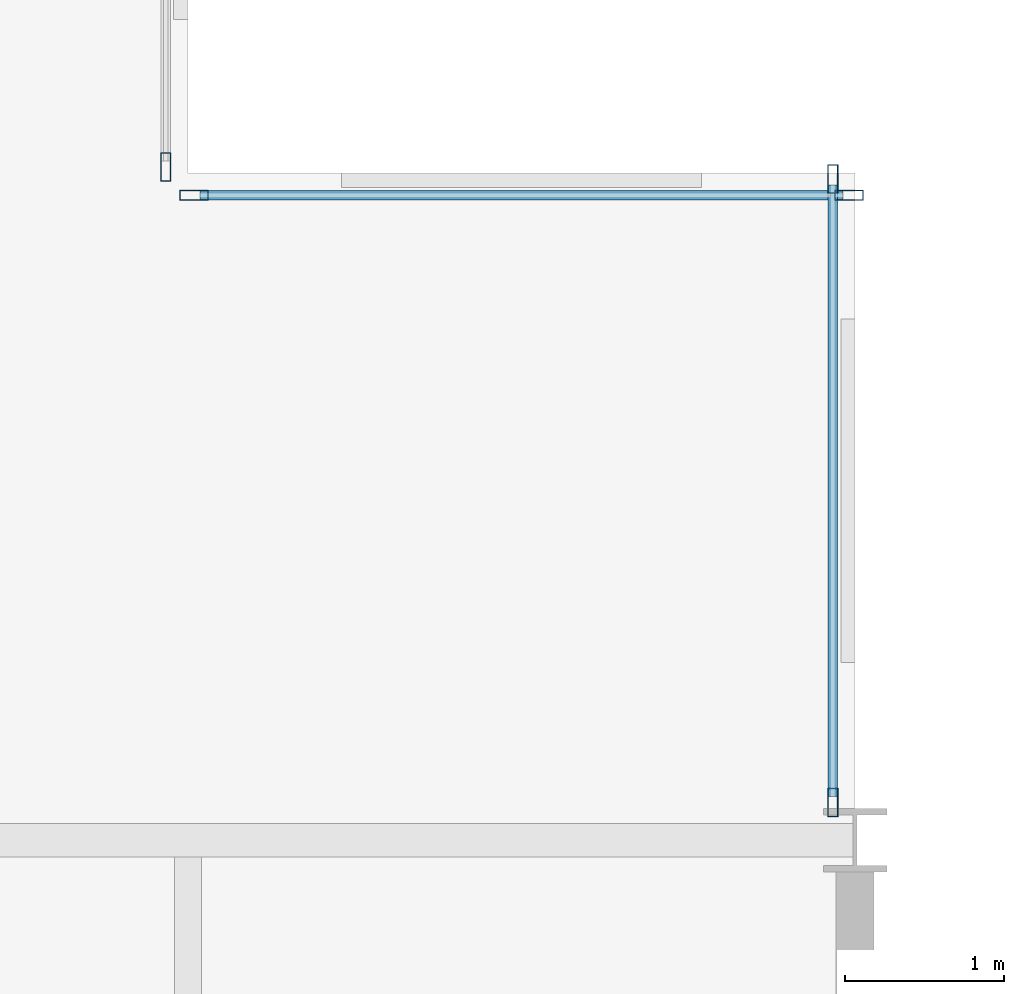
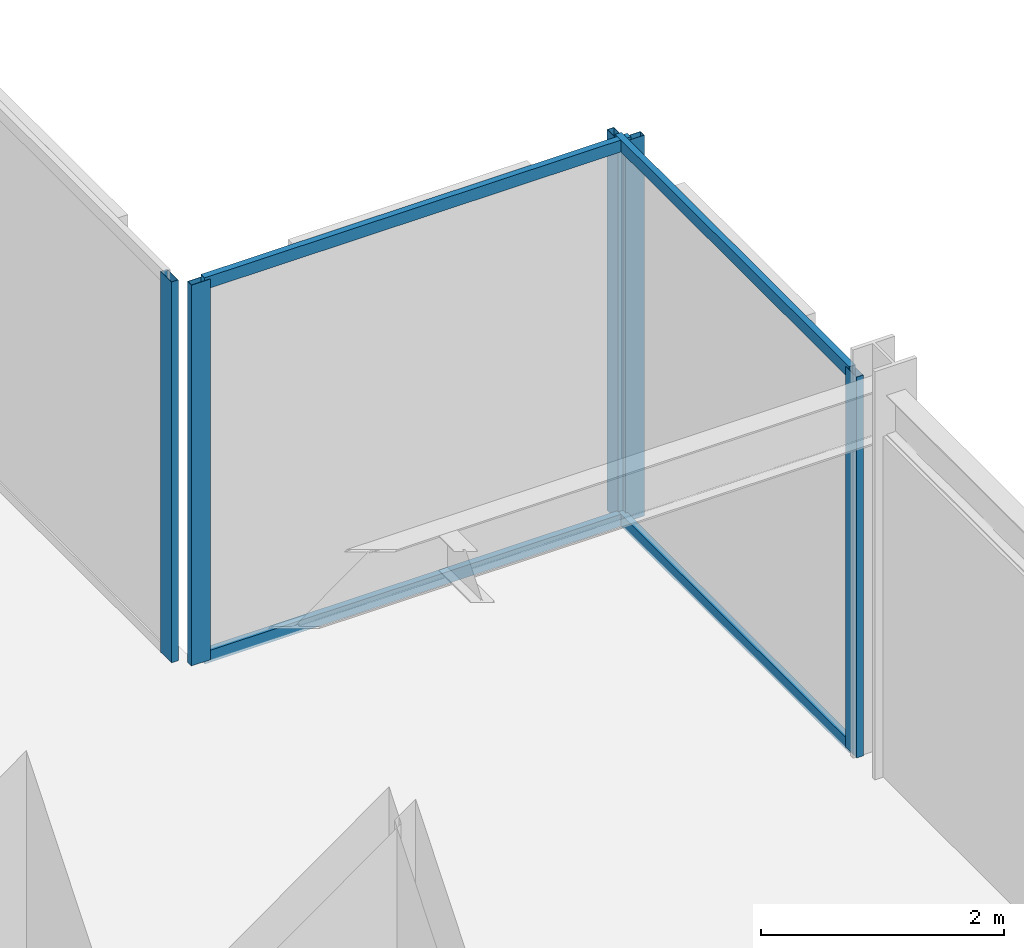
# One storey, part 20 of 29: 9 members, 3 elements without a shape of their own.
"""IFC4 building model written with IfcOpenShell, lengths in metres."""

from ifc_helpers import new_model, si_unit, direction, frame, origin, origin_2d, place, context, subcontext, project, spatial, hollow_rectangle, extrude, material, layer, layer_set, material_profile, profile_set, type_object, element, aggregate, save


model = new_model("IFC4")

# Units and contexts
model_context = context("Model", 3, precision=1e-05, world=origin(), true_north=direction((0.0, 1.0)))
body_context = subcontext(model_context, "Body", "Model", "MODEL_VIEW")
ifc_project = project(units=[si_unit("LENGTHUNIT", "METRE"), si_unit("AREAUNIT", "SQUARE_METRE"), si_unit("VOLUMEUNIT", "CUBIC_METRE"), si_unit("PLANEANGLEUNIT", "RADIAN"), si_unit("MASSUNIT", "GRAM", prefix="KILO")], contexts=[model_context])

# Site, building, storey
site_placement = place(None, origin())
site = spatial("IfcSite", under=ifc_project, at=site_placement, CompositionType="ELEMENT")
building_placement = place(site_placement, origin())
building = spatial("IfcBuilding", under=site, at=building_placement, Name="Nerrivon Quay Data Exchange", CompositionType="ELEMENT")
storey_placement = place(building_placement, frame((0.0, 0.0, 145.89990234375)))
storey = spatial("IfcBuildingStorey", under=building, at=storey_placement, Name="L34", CompositionType="ELEMENT", Elevation=145.89990234375)

# Curtain wall, member
ifc_material = material(Name="Anodised aluminium 6063-T6", Category="aluminium")
ifc_layer = layer(ifc_material, 0.2099609375)
ifc_layer_set = layer_set([ifc_layer], Name="Anodised aluminium 6063-T6")
curtain_wall_type = type_object("IfcCurtainWallType", Name="CW-SYS-02", PredefinedType="NOTDEFINED", material=ifc_layer_set)
curtain_wall_1_placement = place(storey_placement, origin())
curtain_wall_1 = element("IfcCurtainWall", 1, at=curtain_wall_1_placement, inside=storey, type_object=curtain_wall_type, Name="L34 Unitised Curtain Wall 21", PredefinedType="NOTDEFINED")
ifc_material_profile_1 = material_profile(ifc_material, hollow_rectangle(XDim=0.06494140625, YDim=0.179931640625, WallThickness=0.00341796875, at=origin_2d()), Name="ALU-MULL-180x65")
ifc_profile_set_1 = profile_set([ifc_material_profile_1], Name="Anodised aluminium 6063-T6")
member_type_1 = type_object("IfcMemberType", Name="CWM-180x65", PredefinedType="MULLION", material=ifc_profile_set_1)
member_1_placement = place(storey_placement, frame((20.860107421875, 46.237548828125, 0.0), z_axis=(0.0, 0.0, 1.0), x_axis=(1.0, 0.0, 0.0)))
member_1 = element("IfcMember", 2, at=member_1_placement, type_object=member_type_1, Name="CW02 mullion 2", PredefinedType="MULLION", context=body_context, shape_type="SweptSolid", body=[
    extrude(hollow_rectangle(XDim=0.06494140625, YDim=0.179931640625, WallThickness=0.00341796875, at=origin_2d()), origin(), (0.0, 0.0, 1.0), 3.8251953125),
])
aggregate(curtain_wall_1, [member_1])

# Curtain wall, members
curtain_wall_2_placement = place(storey_placement, origin())
curtain_wall_2 = element("IfcCurtainWall", 3, at=curtain_wall_2_placement, inside=storey, type_object=curtain_wall_type, Name="L34 Unitised Curtain Wall 22", PredefinedType="NOTDEFINED")
member_2_placement = place(storey_placement, frame((21.03759765625, 46.06005859375, 0.0), z_axis=(0.0, 0.0, 1.0), x_axis=(0.0, 1.0, 0.0)))
member_2 = element("IfcMember", 4, at=member_2_placement, type_object=member_type_1, Name="CW02 mullion 1", PredefinedType="MULLION", context=body_context, shape_type="SweptSolid", body=[
    extrude(hollow_rectangle(XDim=0.06494140625, YDim=0.179931640625, WallThickness=0.00341796875, at=origin_2d()), origin(), (0.0, 0.0, 1.0), 3.8251953125),
])
member_3_placement = place(storey_placement, frame((25.16259765625, 46.06005859375, 0.0), z_axis=(0.0, 0.0, 1.0), x_axis=(0.0, 1.0, 0.0)))
member_3 = element("IfcMember", 5, at=member_3_placement, type_object=member_type_1, Name="CW02 mullion 2", PredefinedType="MULLION", context=body_context, shape_type="SweptSolid", body=[
    extrude(hollow_rectangle(XDim=0.06494140625, YDim=0.179931640625, WallThickness=0.00341796875, at=origin_2d()), origin(), (0.0, 0.0, 1.0), 3.8251953125),
])

curtain_wall_3_placement = place(storey_placement, origin())
curtain_wall_3 = element("IfcCurtainWall", 6, at=curtain_wall_3_placement, inside=storey, type_object=curtain_wall_type, Name="L34 Unitised Curtain Wall 23", PredefinedType="NOTDEFINED")
member_4_placement = place(storey_placement, frame((25.06005859375, 46.16259765625, 0.0), z_axis=(0.0, 0.0, 1.0), x_axis=(1.0, 0.0, 0.0)))
member_4 = element("IfcMember", 7, at=member_4_placement, type_object=member_type_1, Name="CW02 mullion 1", PredefinedType="MULLION", context=body_context, shape_type="SweptSolid", body=[
    extrude(hollow_rectangle(XDim=0.06494140625, YDim=0.179931640625, WallThickness=0.00341796875, at=origin_2d()), origin(), (0.0, 0.0, 1.0), 3.8251953125),
])
member_5_placement = place(storey_placement, frame((25.06005859375, 42.237548828125, 0.0), z_axis=(0.0, 0.0, 1.0), x_axis=(1.0, 0.0, 0.0)))
member_5 = element("IfcMember", 8, at=member_5_placement, type_object=member_type_1, Name="CW02 mullion 2", PredefinedType="MULLION", context=body_context, shape_type="SweptSolid", body=[
    extrude(hollow_rectangle(XDim=0.06494140625, YDim=0.179931640625, WallThickness=0.00341796875, at=origin_2d()), origin(), (0.0, 0.0, 1.0), 3.8251953125),
])

# Member
ifc_material_profile_2 = material_profile(ifc_material, hollow_rectangle(XDim=0.06005859375, YDim=0.1201171875, WallThickness=0.003173828125, at=origin_2d()), Name="ALU-TRAN-120x60")
ifc_profile_set_2 = profile_set([ifc_material_profile_2], Name="Anodised aluminium 6063-T6")
member_type_2 = type_object("IfcMemberType", Name="CWT-120x60", PredefinedType="USERDEFINED", material=ifc_profile_set_2)
member_6_placement = place(storey_placement, frame((21.074951171875, 46.06005859375, 0.03271484375), z_axis=(1.0, 0.0, 0.0), x_axis=(0.0, 1.0, 0.0)))
member_6 = element("IfcMember", 9, at=member_6_placement, type_object=member_type_2, Name="CW02 transom 1.1", ObjectType="TRANSOM", PredefinedType="USERDEFINED", context=body_context, shape_type="SweptSolid", body=[
    extrude(hollow_rectangle(XDim=0.06005859375, YDim=0.1201171875, WallThickness=0.003173828125, at=origin_2d()), origin(), (0.0, 0.0, 1.0), 4.050048828125),
])

member_7_placement = place(storey_placement, frame((21.074951171875, 46.06005859375, 3.79248046875), z_axis=(1.0, 0.0, 0.0), x_axis=(0.0, 1.0, 0.0)))
member_7 = element("IfcMember", 10, at=member_7_placement, type_object=member_type_2, Name="CW02 transom 1.2", ObjectType="TRANSOM", PredefinedType="USERDEFINED", context=body_context, shape_type="SweptSolid", body=[
    extrude(hollow_rectangle(XDim=0.06005859375, YDim=0.1201171875, WallThickness=0.003173828125, at=origin_2d()), origin(), (0.0, 0.0, 1.0), 4.050048828125),
])

aggregate(curtain_wall_2, [member_2, member_3, member_6, member_7])

member_8_placement = place(storey_placement, frame((25.06005859375, 46.125, 0.03271484375), z_axis=(0.0, -1.0, 0.0), x_axis=(1.0, 0.0, 0.0)))
member_8 = element("IfcMember", 11, at=member_8_placement, type_object=member_type_2, Name="CW02 transom 1.1", ObjectType="TRANSOM", PredefinedType="USERDEFINED", context=body_context, shape_type="SweptSolid", body=[
    extrude(hollow_rectangle(XDim=0.06005859375, YDim=0.1201171875, WallThickness=0.003173828125, at=origin_2d()), origin(), (0.0, 0.0, 1.0), 3.85009765625),
])

member_9_placement = place(storey_placement, frame((25.06005859375, 46.125, 3.79248046875), z_axis=(0.0, -1.0, 0.0), x_axis=(1.0, 0.0, 0.0)))
member_9 = element("IfcMember", 12, at=member_9_placement, type_object=member_type_2, Name="CW02 transom 1.2", ObjectType="TRANSOM", PredefinedType="USERDEFINED", context=body_context, shape_type="SweptSolid", body=[
    extrude(hollow_rectangle(XDim=0.06005859375, YDim=0.1201171875, WallThickness=0.003173828125, at=origin_2d()), origin(), (0.0, 0.0, 1.0), 3.85009765625),
])

aggregate(curtain_wall_3, [member_4, member_5, member_8, member_9])

save(model, "model.ifc")
